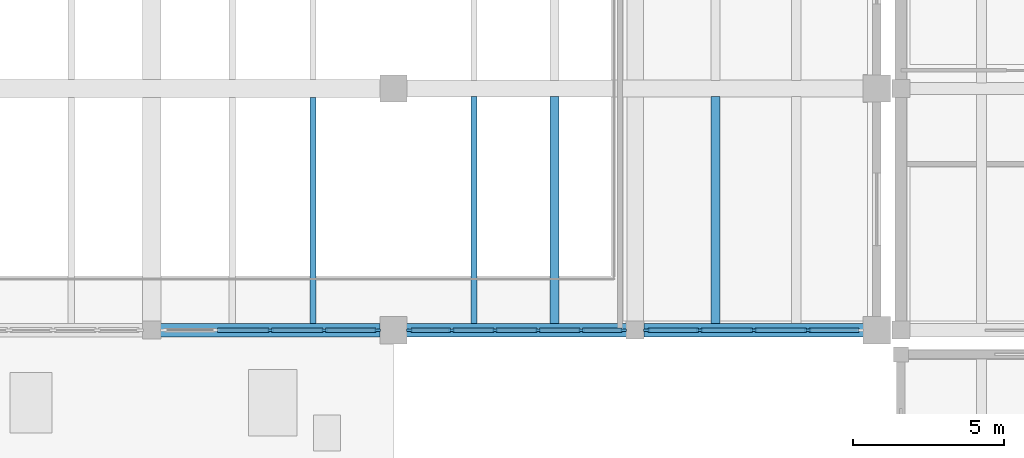
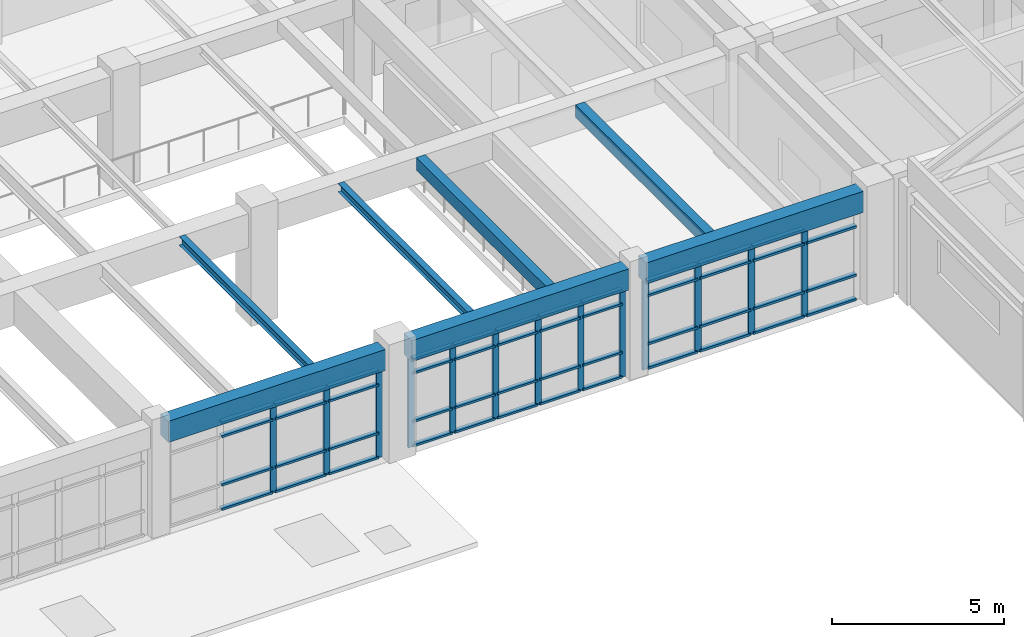
# One storey, part 12 of 67: 60 members, 7 beams, 3 elements without a shape of their own.
"""IFC4 building model written with IfcOpenShell, lengths in metres."""

from ifc_helpers import new_model, si_unit, direction, frame, origin, origin_2d, place, context, subcontext, project, spatial, rectangle, i_section, extrude, material, material_profile, profile_set, type_object, element, aggregate, save


model = new_model("IFC4")

# Units and contexts
model_context = context("Model", 3, precision=1e-05, world=origin(), true_north=direction((0.0, 1.0)))
body_context = subcontext(model_context, "Body", "Model", "MODEL_VIEW")
ifc_project = project(units=[si_unit("LENGTHUNIT", "METRE"), si_unit("AREAUNIT", "SQUARE_METRE"), si_unit("VOLUMEUNIT", "CUBIC_METRE"), si_unit("PLANEANGLEUNIT", "RADIAN"), si_unit("MASSUNIT", "GRAM", prefix="KILO")], contexts=[model_context])

# Site, building, storey
site_placement = place(None, origin())
site = spatial("IfcSite", under=ifc_project, at=site_placement, CompositionType="ELEMENT")
building_placement = place(site_placement, origin())
building = spatial("IfcBuilding", under=site, at=building_placement, Name="Tlaxcora Railside Police Headquarters", CompositionType="ELEMENT")
storey_placement = place(building_placement, frame((0.0, 0.0, 4.800048828125)))
storey = spatial("IfcBuildingStorey", under=building, at=storey_placement, Name="L01", CompositionType="ELEMENT", Elevation=4.800048828125)

# Curtain wall, members
ifc_material_1 = material(Name="Thermally broken low-E insulated glazing", Category="glass")
curtain_wall_type_1 = type_object("IfcCurtainWallType", Name="Unitised Curtain Wall Assembly CW-38", PredefinedType="NOTDEFINED", material=ifc_material_1)
curtain_wall_1_placement = place(storey_placement, origin())
curtain_wall_1 = element("IfcCurtainWall", 1, at=curtain_wall_1_placement, inside=storey, type_object=curtain_wall_type_1, Name="V1 L01 curtain wall 9", PredefinedType="NOTDEFINED")
ifc_material_2 = material(Name="Anodised aluminium framing", Category="aluminium")
ifc_material_profile_1 = material_profile(ifc_material_2, rectangle(XDim=0.074951171875, YDim=0.205078125, at=origin_2d()), Name="AL75X205")
ifc_profile_set_1 = profile_set([ifc_material_profile_1], Name="Anodised aluminium framing")
member_type_1 = type_object("IfcMemberType", Name="Curtain Wall Mullion CW-32", PredefinedType="MULLION", material=ifc_profile_set_1)
member_1_placement = place(storey_placement, frame((81.925048828125, 36.0, 0.0), z_axis=(0.0, 0.0, 1.0), x_axis=(0.0, 1.0, 0.0)))
member_1 = element("IfcMember", 2, at=member_1_placement, type_object=member_type_1, Name="CW mullion 3", PredefinedType="MULLION", context=body_context, shape_type="SweptSolid", body=[
    extrude(rectangle(XDim=0.074951171875, YDim=0.205078125, at=origin_2d()), origin(), (0.0, 0.0, 1.0), 3.139892578125),
])
member_2_placement = place(storey_placement, frame((83.71240234375, 36.0, 0.0), z_axis=(0.0, 0.0, 1.0), x_axis=(0.0, 1.0, 0.0)))
member_2 = element("IfcMember", 3, at=member_2_placement, type_object=member_type_1, Name="CW mullion 4", PredefinedType="MULLION", context=body_context, shape_type="SweptSolid", body=[
    extrude(rectangle(XDim=0.074951171875, YDim=0.205078125, at=origin_2d()), origin(), (0.0, 0.0, 1.0), 3.139892578125),
])
member_3_placement = place(storey_placement, frame((85.46240234375, 36.0, 0.0), z_axis=(0.0, 0.0, 1.0), x_axis=(0.0, 1.0, 0.0)))
member_3 = element("IfcMember", 4, at=member_3_placement, type_object=member_type_1, Name="CW mullion 5", PredefinedType="MULLION", context=body_context, shape_type="SweptSolid", body=[
    extrude(rectangle(XDim=0.074951171875, YDim=0.205078125, at=origin_2d()), origin(), (0.0, 0.0, 1.0), 3.139892578125),
])

curtain_wall_type_2 = type_object("IfcCurtainWallType", Name="Unitised Curtain Wall Assembly CW-15", PredefinedType="NOTDEFINED", material=ifc_material_1)
curtain_wall_2_placement = place(storey_placement, origin())
curtain_wall_2 = element("IfcCurtainWall", 5, at=curtain_wall_2_placement, inside=storey, type_object=curtain_wall_type_2, Name="V1 L01 curtain wall 10", PredefinedType="NOTDEFINED")
ifc_material_profile_2 = material_profile(ifc_material_2, rectangle(XDim=0.074951171875, YDim=0.199951171875, at=origin_2d()), Name="AL75X200")
ifc_profile_set_2 = profile_set([ifc_material_profile_2], Name="Anodised aluminium framing")
member_type_2 = type_object("IfcMemberType", Name="Curtain Wall Mullion CW-58", PredefinedType="MULLION", material=ifc_profile_set_2)
member_4_placement = place(storey_placement, frame((86.53759765625, 36.0, 0.0), z_axis=(0.0, 0.0, 1.0), x_axis=(0.0, 1.0, 0.0)))
member_4 = element("IfcMember", 6, at=member_4_placement, type_object=member_type_2, Name="CW mullion 1", PredefinedType="MULLION", context=body_context, shape_type="SweptSolid", body=[
    extrude(rectangle(XDim=0.074951171875, YDim=0.199951171875, at=origin_2d()), origin(), (0.0, 0.0, 1.0), 3.139892578125),
])
member_5_placement = place(storey_placement, frame((87.929931640625, 36.0, 0.0), z_axis=(0.0, 0.0, 1.0), x_axis=(0.0, 1.0, 0.0)))
member_5 = element("IfcMember", 7, at=member_5_placement, type_object=member_type_2, Name="CW mullion 2", PredefinedType="MULLION", context=body_context, shape_type="SweptSolid", body=[
    extrude(rectangle(XDim=0.074951171875, YDim=0.199951171875, at=origin_2d()), origin(), (0.0, 0.0, 1.0), 3.139892578125),
])
member_6_placement = place(storey_placement, frame((89.360107421875, 36.0, 0.0), z_axis=(0.0, 0.0, 1.0), x_axis=(0.0, 1.0, 0.0)))
member_6 = element("IfcMember", 8, at=member_6_placement, type_object=member_type_2, Name="CW mullion 3", PredefinedType="MULLION", context=body_context, shape_type="SweptSolid", body=[
    extrude(rectangle(XDim=0.074951171875, YDim=0.199951171875, at=origin_2d()), origin(), (0.0, 0.0, 1.0), 3.139892578125),
])
member_7_placement = place(storey_placement, frame((90.7900390625, 36.0, 0.0), z_axis=(0.0, 0.0, 1.0), x_axis=(0.0, 1.0, 0.0)))
member_7 = element("IfcMember", 9, at=member_7_placement, type_object=member_type_2, Name="CW mullion 4", PredefinedType="MULLION", context=body_context, shape_type="SweptSolid", body=[
    extrude(rectangle(XDim=0.074951171875, YDim=0.199951171875, at=origin_2d()), origin(), (0.0, 0.0, 1.0), 3.139892578125),
])
member_8_placement = place(storey_placement, frame((92.219970703125, 36.0, 0.0), z_axis=(0.0, 0.0, 1.0), x_axis=(0.0, 1.0, 0.0)))
member_8 = element("IfcMember", 10, at=member_8_placement, type_object=member_type_2, Name="CW mullion 5", PredefinedType="MULLION", context=body_context, shape_type="SweptSolid", body=[
    extrude(rectangle(XDim=0.074951171875, YDim=0.199951171875, at=origin_2d()), origin(), (0.0, 0.0, 1.0), 3.139892578125),
])
member_9_placement = place(storey_placement, frame((93.612548828125, 36.0, 0.0), z_axis=(0.0, 0.0, 1.0), x_axis=(0.0, 1.0, 0.0)))
member_9 = element("IfcMember", 11, at=member_9_placement, type_object=member_type_2, Name="CW mullion 6", PredefinedType="MULLION", context=body_context, shape_type="SweptSolid", body=[
    extrude(rectangle(XDim=0.074951171875, YDim=0.199951171875, at=origin_2d()), origin(), (0.0, 0.0, 1.0), 3.139892578125),
])

curtain_wall_type_3 = type_object("IfcCurtainWallType", Name="Unitised Curtain Wall Assembly CW-83", PredefinedType="NOTDEFINED", material=ifc_material_1)
curtain_wall_3_placement = place(storey_placement, origin())
curtain_wall_3 = element("IfcCurtainWall", 12, at=curtain_wall_3_placement, inside=storey, type_object=curtain_wall_type_3, Name="V1 L01 curtain wall 11", PredefinedType="NOTDEFINED")
ifc_material_profile_3 = material_profile(ifc_material_2, rectangle(XDim=0.080078125, YDim=0.2099609375, at=origin_2d()), Name="AL80X210")
ifc_profile_set_3 = profile_set([ifc_material_profile_3], Name="Anodised aluminium framing")
member_type_3 = type_object("IfcMemberType", Name="Curtain Wall Mullion CW-76", PredefinedType="MULLION", material=ifc_profile_set_3)
member_10_placement = place(storey_placement, frame((94.389892578125, 36.0, 0.0), z_axis=(0.0, 0.0, 1.0), x_axis=(0.0, 1.0, 0.0)))
member_10 = element("IfcMember", 13, at=member_10_placement, type_object=member_type_3, Name="CW mullion 1", PredefinedType="MULLION", context=body_context, shape_type="SweptSolid", body=[
    extrude(rectangle(XDim=0.080078125, YDim=0.2099609375, at=origin_2d()), origin(), (0.0, 0.0, 1.0), 3.139892578125),
])
member_11_placement = place(storey_placement, frame((96.137451171875, 36.0, 0.0), z_axis=(0.0, 0.0, 1.0), x_axis=(0.0, 1.0, 0.0)))
member_11 = element("IfcMember", 14, at=member_11_placement, type_object=member_type_3, Name="CW mullion 2", PredefinedType="MULLION", context=body_context, shape_type="SweptSolid", body=[
    extrude(rectangle(XDim=0.080078125, YDim=0.2099609375, at=origin_2d()), origin(), (0.0, 0.0, 1.0), 3.139892578125),
])
member_12_placement = place(storey_placement, frame((97.925048828125, 36.0, 0.0), z_axis=(0.0, 0.0, 1.0), x_axis=(0.0, 1.0, 0.0)))
member_12 = element("IfcMember", 15, at=member_12_placement, type_object=member_type_3, Name="CW mullion 3", PredefinedType="MULLION", context=body_context, shape_type="SweptSolid", body=[
    extrude(rectangle(XDim=0.080078125, YDim=0.2099609375, at=origin_2d()), origin(), (0.0, 0.0, 1.0), 3.139892578125),
])
member_13_placement = place(storey_placement, frame((99.71240234375, 36.0, 0.0), z_axis=(0.0, 0.0, 1.0), x_axis=(0.0, 1.0, 0.0)))
member_13 = element("IfcMember", 16, at=member_13_placement, type_object=member_type_3, Name="CW mullion 4", PredefinedType="MULLION", context=body_context, shape_type="SweptSolid", body=[
    extrude(rectangle(XDim=0.080078125, YDim=0.2099609375, at=origin_2d()), origin(), (0.0, 0.0, 1.0), 3.139892578125),
])

# Member
ifc_material_profile_4 = material_profile(ifc_material_2, rectangle(XDim=0.14990234375, YDim=0.074951171875, at=origin_2d()), Name="AL75X150")
ifc_profile_set_4 = profile_set([ifc_material_profile_4], Name="Anodised aluminium framing")
member_type_4 = type_object("IfcMemberType", Name="Curtain Wall Transom CW-28", PredefinedType="USERDEFINED", material=ifc_profile_set_4)
member_14_placement = place(storey_placement, frame((86.574951171875, 36.0, 0.037353515625), z_axis=(1.0, 0.0, 0.0), x_axis=(0.0, 1.0, 0.0)))
member_14 = element("IfcMember", 17, at=member_14_placement, type_object=member_type_4, Name="CW transom 1.1", ObjectType="TRANSOM", PredefinedType="USERDEFINED", context=body_context, shape_type="SweptSolid", body=[
    extrude(rectangle(XDim=0.14990234375, YDim=0.074951171875, at=origin_2d()), origin(), (0.0, 0.0, 1.0), 1.317626953125),
])

member_15_placement = place(storey_placement, frame((86.574951171875, 36.0, 0.89990234375), z_axis=(1.0, 0.0, 0.0), x_axis=(0.0, 1.0, 0.0)))
member_15 = element("IfcMember", 18, at=member_15_placement, type_object=member_type_4, Name="CW transom 1.2", ObjectType="TRANSOM", PredefinedType="USERDEFINED", context=body_context, shape_type="SweptSolid", body=[
    extrude(rectangle(XDim=0.14990234375, YDim=0.074951171875, at=origin_2d()), origin(), (0.0, 0.0, 1.0), 1.317626953125),
])

member_16_placement = place(storey_placement, frame((86.574951171875, 36.0, 2.60986328125), z_axis=(1.0, 0.0, 0.0), x_axis=(0.0, 1.0, 0.0)))
member_16 = element("IfcMember", 19, at=member_16_placement, type_object=member_type_4, Name="CW transom 1.3", ObjectType="TRANSOM", PredefinedType="USERDEFINED", context=body_context, shape_type="SweptSolid", body=[
    extrude(rectangle(XDim=0.14990234375, YDim=0.074951171875, at=origin_2d()), origin(), (0.0, 0.0, 1.0), 1.317626953125),
])

member_17_placement = place(storey_placement, frame((86.574951171875, 36.0, 3.1025390625), z_axis=(1.0, 0.0, 0.0), x_axis=(0.0, 1.0, 0.0)))
member_17 = element("IfcMember", 20, at=member_17_placement, type_object=member_type_4, Name="CW transom 1.4", ObjectType="TRANSOM", PredefinedType="USERDEFINED", context=body_context, shape_type="SweptSolid", body=[
    extrude(rectangle(XDim=0.14990234375, YDim=0.074951171875, at=origin_2d()), origin(), (0.0, 0.0, 1.0), 1.317626953125),
])

member_18_placement = place(storey_placement, frame((87.967529296875, 36.0, 0.037353515625), z_axis=(1.0, 0.0, 0.0), x_axis=(0.0, 1.0, 0.0)))
member_18 = element("IfcMember", 21, at=member_18_placement, type_object=member_type_4, Name="CW transom 2.1", ObjectType="TRANSOM", PredefinedType="USERDEFINED", context=body_context, shape_type="SweptSolid", body=[
    extrude(rectangle(XDim=0.14990234375, YDim=0.074951171875, at=origin_2d()), origin(), (0.0, 0.0, 1.0), 1.35498046875),
])

member_19_placement = place(storey_placement, frame((87.967529296875, 36.0, 0.89990234375), z_axis=(1.0, 0.0, 0.0), x_axis=(0.0, 1.0, 0.0)))
member_19 = element("IfcMember", 22, at=member_19_placement, type_object=member_type_4, Name="CW transom 2.2", ObjectType="TRANSOM", PredefinedType="USERDEFINED", context=body_context, shape_type="SweptSolid", body=[
    extrude(rectangle(XDim=0.14990234375, YDim=0.074951171875, at=origin_2d()), origin(), (0.0, 0.0, 1.0), 1.35498046875),
])

member_20_placement = place(storey_placement, frame((87.967529296875, 36.0, 2.60986328125), z_axis=(1.0, 0.0, 0.0), x_axis=(0.0, 1.0, 0.0)))
member_20 = element("IfcMember", 23, at=member_20_placement, type_object=member_type_4, Name="CW transom 2.3", ObjectType="TRANSOM", PredefinedType="USERDEFINED", context=body_context, shape_type="SweptSolid", body=[
    extrude(rectangle(XDim=0.14990234375, YDim=0.074951171875, at=origin_2d()), origin(), (0.0, 0.0, 1.0), 1.35498046875),
])

member_21_placement = place(storey_placement, frame((87.967529296875, 36.0, 3.1025390625), z_axis=(1.0, 0.0, 0.0), x_axis=(0.0, 1.0, 0.0)))
member_21 = element("IfcMember", 24, at=member_21_placement, type_object=member_type_4, Name="CW transom 2.4", ObjectType="TRANSOM", PredefinedType="USERDEFINED", context=body_context, shape_type="SweptSolid", body=[
    extrude(rectangle(XDim=0.14990234375, YDim=0.074951171875, at=origin_2d()), origin(), (0.0, 0.0, 1.0), 1.35498046875),
])

member_22_placement = place(storey_placement, frame((89.3974609375, 36.0, 0.037353515625), z_axis=(1.0, 0.0, 0.0), x_axis=(0.0, 1.0, 0.0)))
member_22 = element("IfcMember", 25, at=member_22_placement, type_object=member_type_4, Name="CW transom 3.1", ObjectType="TRANSOM", PredefinedType="USERDEFINED", context=body_context, shape_type="SweptSolid", body=[
    extrude(rectangle(XDim=0.14990234375, YDim=0.074951171875, at=origin_2d()), origin(), (0.0, 0.0, 1.0), 1.35498046875),
])

member_23_placement = place(storey_placement, frame((89.3974609375, 36.0, 0.89990234375), z_axis=(1.0, 0.0, 0.0), x_axis=(0.0, 1.0, 0.0)))
member_23 = element("IfcMember", 26, at=member_23_placement, type_object=member_type_4, Name="CW transom 3.2", ObjectType="TRANSOM", PredefinedType="USERDEFINED", context=body_context, shape_type="SweptSolid", body=[
    extrude(rectangle(XDim=0.14990234375, YDim=0.074951171875, at=origin_2d()), origin(), (0.0, 0.0, 1.0), 1.35498046875),
])

member_24_placement = place(storey_placement, frame((89.3974609375, 36.0, 2.60986328125), z_axis=(1.0, 0.0, 0.0), x_axis=(0.0, 1.0, 0.0)))
member_24 = element("IfcMember", 27, at=member_24_placement, type_object=member_type_4, Name="CW transom 3.3", ObjectType="TRANSOM", PredefinedType="USERDEFINED", context=body_context, shape_type="SweptSolid", body=[
    extrude(rectangle(XDim=0.14990234375, YDim=0.074951171875, at=origin_2d()), origin(), (0.0, 0.0, 1.0), 1.35498046875),
])

member_25_placement = place(storey_placement, frame((89.3974609375, 36.0, 3.1025390625), z_axis=(1.0, 0.0, 0.0), x_axis=(0.0, 1.0, 0.0)))
member_25 = element("IfcMember", 28, at=member_25_placement, type_object=member_type_4, Name="CW transom 3.4", ObjectType="TRANSOM", PredefinedType="USERDEFINED", context=body_context, shape_type="SweptSolid", body=[
    extrude(rectangle(XDim=0.14990234375, YDim=0.074951171875, at=origin_2d()), origin(), (0.0, 0.0, 1.0), 1.35498046875),
])

member_26_placement = place(storey_placement, frame((90.827392578125, 36.0, 0.037353515625), z_axis=(1.0, 0.0, 0.0), x_axis=(0.0, 1.0, 0.0)))
member_26 = element("IfcMember", 29, at=member_26_placement, type_object=member_type_4, Name="CW transom 4.1", ObjectType="TRANSOM", PredefinedType="USERDEFINED", context=body_context, shape_type="SweptSolid", body=[
    extrude(rectangle(XDim=0.14990234375, YDim=0.074951171875, at=origin_2d()), origin(), (0.0, 0.0, 1.0), 1.355224609375),
])

member_27_placement = place(storey_placement, frame((90.827392578125, 36.0, 0.89990234375), z_axis=(1.0, 0.0, 0.0), x_axis=(0.0, 1.0, 0.0)))
member_27 = element("IfcMember", 30, at=member_27_placement, type_object=member_type_4, Name="CW transom 4.2", ObjectType="TRANSOM", PredefinedType="USERDEFINED", context=body_context, shape_type="SweptSolid", body=[
    extrude(rectangle(XDim=0.14990234375, YDim=0.074951171875, at=origin_2d()), origin(), (0.0, 0.0, 1.0), 1.355224609375),
])

member_28_placement = place(storey_placement, frame((90.827392578125, 36.0, 2.60986328125), z_axis=(1.0, 0.0, 0.0), x_axis=(0.0, 1.0, 0.0)))
member_28 = element("IfcMember", 31, at=member_28_placement, type_object=member_type_4, Name="CW transom 4.3", ObjectType="TRANSOM", PredefinedType="USERDEFINED", context=body_context, shape_type="SweptSolid", body=[
    extrude(rectangle(XDim=0.14990234375, YDim=0.074951171875, at=origin_2d()), origin(), (0.0, 0.0, 1.0), 1.355224609375),
])

member_29_placement = place(storey_placement, frame((90.827392578125, 36.0, 3.1025390625), z_axis=(1.0, 0.0, 0.0), x_axis=(0.0, 1.0, 0.0)))
member_29 = element("IfcMember", 32, at=member_29_placement, type_object=member_type_4, Name="CW transom 4.4", ObjectType="TRANSOM", PredefinedType="USERDEFINED", context=body_context, shape_type="SweptSolid", body=[
    extrude(rectangle(XDim=0.14990234375, YDim=0.074951171875, at=origin_2d()), origin(), (0.0, 0.0, 1.0), 1.355224609375),
])

member_30_placement = place(storey_placement, frame((92.257568359375, 36.0, 0.037353515625), z_axis=(1.0, 0.0, 0.0), x_axis=(0.0, 1.0, 0.0)))
member_30 = element("IfcMember", 33, at=member_30_placement, type_object=member_type_4, Name="CW transom 5.1", ObjectType="TRANSOM", PredefinedType="USERDEFINED", context=body_context, shape_type="SweptSolid", body=[
    extrude(rectangle(XDim=0.14990234375, YDim=0.074951171875, at=origin_2d()), origin(), (0.0, 0.0, 1.0), 1.3173828125),
])

member_31_placement = place(storey_placement, frame((92.257568359375, 36.0, 0.89990234375), z_axis=(1.0, 0.0, 0.0), x_axis=(0.0, 1.0, 0.0)))
member_31 = element("IfcMember", 34, at=member_31_placement, type_object=member_type_4, Name="CW transom 5.2", ObjectType="TRANSOM", PredefinedType="USERDEFINED", context=body_context, shape_type="SweptSolid", body=[
    extrude(rectangle(XDim=0.14990234375, YDim=0.074951171875, at=origin_2d()), origin(), (0.0, 0.0, 1.0), 1.3173828125),
])

member_32_placement = place(storey_placement, frame((92.257568359375, 36.0, 2.60986328125), z_axis=(1.0, 0.0, 0.0), x_axis=(0.0, 1.0, 0.0)))
member_32 = element("IfcMember", 35, at=member_32_placement, type_object=member_type_4, Name="CW transom 5.3", ObjectType="TRANSOM", PredefinedType="USERDEFINED", context=body_context, shape_type="SweptSolid", body=[
    extrude(rectangle(XDim=0.14990234375, YDim=0.074951171875, at=origin_2d()), origin(), (0.0, 0.0, 1.0), 1.3173828125),
])

member_33_placement = place(storey_placement, frame((92.257568359375, 36.0, 3.1025390625), z_axis=(1.0, 0.0, 0.0), x_axis=(0.0, 1.0, 0.0)))
member_33 = element("IfcMember", 36, at=member_33_placement, type_object=member_type_4, Name="CW transom 5.4", ObjectType="TRANSOM", PredefinedType="USERDEFINED", context=body_context, shape_type="SweptSolid", body=[
    extrude(rectangle(XDim=0.14990234375, YDim=0.074951171875, at=origin_2d()), origin(), (0.0, 0.0, 1.0), 1.3173828125),
])

aggregate(curtain_wall_2, [member_4, member_5, member_6, member_7, member_8, member_9, member_14, member_15, member_16, member_17, member_18, member_19, member_20, member_21, member_22, member_23, member_24, member_25, member_26, member_27, member_28, member_29, member_30, member_31, member_32, member_33])

ifc_material_profile_5 = material_profile(ifc_material_2, rectangle(XDim=0.155029296875, YDim=0.074951171875, at=origin_2d()), Name="AL75X155")
ifc_profile_set_5 = profile_set([ifc_material_profile_5], Name="Anodised aluminium framing")
member_type_5 = type_object("IfcMemberType", Name="Curtain Wall Transom CW-30", PredefinedType="USERDEFINED", material=ifc_profile_set_5)
member_34_placement = place(storey_placement, frame((80.175048828125, 36.0, 0.037353515625), z_axis=(1.0, 0.0, 0.0), x_axis=(0.0, 1.0, 0.0)))
member_34 = element("IfcMember", 37, at=member_34_placement, type_object=member_type_5, Name="CW transom 2.1", ObjectType="TRANSOM", PredefinedType="USERDEFINED", context=body_context, shape_type="SweptSolid", body=[
    extrude(rectangle(XDim=0.155029296875, YDim=0.074951171875, at=origin_2d()), origin(), (0.0, 0.0, 1.0), 1.71240234375),
])

member_35_placement = place(storey_placement, frame((80.175048828125, 36.0, 0.89990234375), z_axis=(1.0, 0.0, 0.0), x_axis=(0.0, 1.0, 0.0)))
member_35 = element("IfcMember", 38, at=member_35_placement, type_object=member_type_5, Name="CW transom 2.2", ObjectType="TRANSOM", PredefinedType="USERDEFINED", context=body_context, shape_type="SweptSolid", body=[
    extrude(rectangle(XDim=0.155029296875, YDim=0.074951171875, at=origin_2d()), origin(), (0.0, 0.0, 1.0), 1.71240234375),
])

member_36_placement = place(storey_placement, frame((80.175048828125, 36.0, 2.60986328125), z_axis=(1.0, 0.0, 0.0), x_axis=(0.0, 1.0, 0.0)))
member_36 = element("IfcMember", 39, at=member_36_placement, type_object=member_type_5, Name="CW transom 2.3", ObjectType="TRANSOM", PredefinedType="USERDEFINED", context=body_context, shape_type="SweptSolid", body=[
    extrude(rectangle(XDim=0.155029296875, YDim=0.074951171875, at=origin_2d()), origin(), (0.0, 0.0, 1.0), 1.71240234375),
])

member_37_placement = place(storey_placement, frame((80.175048828125, 36.0, 3.1025390625), z_axis=(1.0, 0.0, 0.0), x_axis=(0.0, 1.0, 0.0)))
member_37 = element("IfcMember", 40, at=member_37_placement, type_object=member_type_5, Name="CW transom 2.4", ObjectType="TRANSOM", PredefinedType="USERDEFINED", context=body_context, shape_type="SweptSolid", body=[
    extrude(rectangle(XDim=0.155029296875, YDim=0.074951171875, at=origin_2d()), origin(), (0.0, 0.0, 1.0), 1.71240234375),
])

member_38_placement = place(storey_placement, frame((81.96240234375, 36.0, 0.037353515625), z_axis=(1.0, 0.0, 0.0), x_axis=(0.0, 1.0, 0.0)))
member_38 = element("IfcMember", 41, at=member_38_placement, type_object=member_type_5, Name="CW transom 3.1", ObjectType="TRANSOM", PredefinedType="USERDEFINED", context=body_context, shape_type="SweptSolid", body=[
    extrude(rectangle(XDim=0.155029296875, YDim=0.074951171875, at=origin_2d()), origin(), (0.0, 0.0, 1.0), 1.712646484375),
])

member_39_placement = place(storey_placement, frame((81.96240234375, 36.0, 0.89990234375), z_axis=(1.0, 0.0, 0.0), x_axis=(0.0, 1.0, 0.0)))
member_39 = element("IfcMember", 42, at=member_39_placement, type_object=member_type_5, Name="CW transom 3.2", ObjectType="TRANSOM", PredefinedType="USERDEFINED", context=body_context, shape_type="SweptSolid", body=[
    extrude(rectangle(XDim=0.155029296875, YDim=0.074951171875, at=origin_2d()), origin(), (0.0, 0.0, 1.0), 1.712646484375),
])

member_40_placement = place(storey_placement, frame((81.96240234375, 36.0, 2.60986328125), z_axis=(1.0, 0.0, 0.0), x_axis=(0.0, 1.0, 0.0)))
member_40 = element("IfcMember", 43, at=member_40_placement, type_object=member_type_5, Name="CW transom 3.3", ObjectType="TRANSOM", PredefinedType="USERDEFINED", context=body_context, shape_type="SweptSolid", body=[
    extrude(rectangle(XDim=0.155029296875, YDim=0.074951171875, at=origin_2d()), origin(), (0.0, 0.0, 1.0), 1.712646484375),
])

member_41_placement = place(storey_placement, frame((81.96240234375, 36.0, 3.1025390625), z_axis=(1.0, 0.0, 0.0), x_axis=(0.0, 1.0, 0.0)))
member_41 = element("IfcMember", 44, at=member_41_placement, type_object=member_type_5, Name="CW transom 3.4", ObjectType="TRANSOM", PredefinedType="USERDEFINED", context=body_context, shape_type="SweptSolid", body=[
    extrude(rectangle(XDim=0.155029296875, YDim=0.074951171875, at=origin_2d()), origin(), (0.0, 0.0, 1.0), 1.712646484375),
])

member_42_placement = place(storey_placement, frame((83.75, 36.0, 0.037353515625), z_axis=(1.0, 0.0, 0.0), x_axis=(0.0, 1.0, 0.0)))
member_42 = element("IfcMember", 45, at=member_42_placement, type_object=member_type_5, Name="CW transom 4.1", ObjectType="TRANSOM", PredefinedType="USERDEFINED", context=body_context, shape_type="SweptSolid", body=[
    extrude(rectangle(XDim=0.155029296875, YDim=0.074951171875, at=origin_2d()), origin(), (0.0, 0.0, 1.0), 1.675048828125),
])

member_43_placement = place(storey_placement, frame((83.75, 36.0, 0.89990234375), z_axis=(1.0, 0.0, 0.0), x_axis=(0.0, 1.0, 0.0)))
member_43 = element("IfcMember", 46, at=member_43_placement, type_object=member_type_5, Name="CW transom 4.2", ObjectType="TRANSOM", PredefinedType="USERDEFINED", context=body_context, shape_type="SweptSolid", body=[
    extrude(rectangle(XDim=0.155029296875, YDim=0.074951171875, at=origin_2d()), origin(), (0.0, 0.0, 1.0), 1.675048828125),
])

member_44_placement = place(storey_placement, frame((83.75, 36.0, 2.60986328125), z_axis=(1.0, 0.0, 0.0), x_axis=(0.0, 1.0, 0.0)))
member_44 = element("IfcMember", 47, at=member_44_placement, type_object=member_type_5, Name="CW transom 4.3", ObjectType="TRANSOM", PredefinedType="USERDEFINED", context=body_context, shape_type="SweptSolid", body=[
    extrude(rectangle(XDim=0.155029296875, YDim=0.074951171875, at=origin_2d()), origin(), (0.0, 0.0, 1.0), 1.675048828125),
])

member_45_placement = place(storey_placement, frame((83.75, 36.0, 3.1025390625), z_axis=(1.0, 0.0, 0.0), x_axis=(0.0, 1.0, 0.0)))
member_45 = element("IfcMember", 48, at=member_45_placement, type_object=member_type_5, Name="CW transom 4.4", ObjectType="TRANSOM", PredefinedType="USERDEFINED", context=body_context, shape_type="SweptSolid", body=[
    extrude(rectangle(XDim=0.155029296875, YDim=0.074951171875, at=origin_2d()), origin(), (0.0, 0.0, 1.0), 1.675048828125),
])

aggregate(curtain_wall_1, [member_1, member_2, member_3, member_34, member_35, member_36, member_37, member_38, member_39, member_40, member_41, member_42, member_43, member_44, member_45])

ifc_material_profile_6 = material_profile(ifc_material_2, rectangle(XDim=0.159912109375, YDim=0.080078125, at=origin_2d()), Name="AL80X160")
ifc_profile_set_6 = profile_set([ifc_material_profile_6], Name="Anodised aluminium framing")
member_type_6 = type_object("IfcMemberType", Name="Curtain Wall Transom CW-82", PredefinedType="USERDEFINED", material=ifc_profile_set_6)
member_46_placement = place(storey_placement, frame((94.429931640625, 36.0, 0.0400390625), z_axis=(1.0, 0.0, 0.0), x_axis=(0.0, 1.0, 0.0)))
member_46 = element("IfcMember", 49, at=member_46_placement, type_object=member_type_6, Name="CW transom 1.1", ObjectType="TRANSOM", PredefinedType="USERDEFINED", context=body_context, shape_type="SweptSolid", body=[
    extrude(rectangle(XDim=0.159912109375, YDim=0.080078125, at=origin_2d()), origin(), (0.0, 0.0, 1.0), 1.66748046875),
])

member_47_placement = place(storey_placement, frame((94.429931640625, 36.0, 0.89990234375), z_axis=(1.0, 0.0, 0.0), x_axis=(0.0, 1.0, 0.0)))
member_47 = element("IfcMember", 50, at=member_47_placement, type_object=member_type_6, Name="CW transom 1.2", ObjectType="TRANSOM", PredefinedType="USERDEFINED", context=body_context, shape_type="SweptSolid", body=[
    extrude(rectangle(XDim=0.159912109375, YDim=0.080078125, at=origin_2d()), origin(), (0.0, 0.0, 1.0), 1.66748046875),
])

member_48_placement = place(storey_placement, frame((94.429931640625, 36.0, 2.60986328125), z_axis=(1.0, 0.0, 0.0), x_axis=(0.0, 1.0, 0.0)))
member_48 = element("IfcMember", 51, at=member_48_placement, type_object=member_type_6, Name="CW transom 1.3", ObjectType="TRANSOM", PredefinedType="USERDEFINED", context=body_context, shape_type="SweptSolid", body=[
    extrude(rectangle(XDim=0.159912109375, YDim=0.080078125, at=origin_2d()), origin(), (0.0, 0.0, 1.0), 1.66748046875),
])

member_49_placement = place(storey_placement, frame((94.429931640625, 36.0, 3.099853515625), z_axis=(1.0, 0.0, 0.0), x_axis=(0.0, 1.0, 0.0)))
member_49 = element("IfcMember", 52, at=member_49_placement, type_object=member_type_6, Name="CW transom 1.4", ObjectType="TRANSOM", PredefinedType="USERDEFINED", context=body_context, shape_type="SweptSolid", body=[
    extrude(rectangle(XDim=0.159912109375, YDim=0.080078125, at=origin_2d()), origin(), (0.0, 0.0, 1.0), 1.66748046875),
])

member_50_placement = place(storey_placement, frame((96.177490234375, 36.0, 0.0400390625), z_axis=(1.0, 0.0, 0.0), x_axis=(0.0, 1.0, 0.0)))
member_50 = element("IfcMember", 53, at=member_50_placement, type_object=member_type_6, Name="CW transom 2.1", ObjectType="TRANSOM", PredefinedType="USERDEFINED", context=body_context, shape_type="SweptSolid", body=[
    extrude(rectangle(XDim=0.159912109375, YDim=0.080078125, at=origin_2d()), origin(), (0.0, 0.0, 1.0), 1.70751953125),
])

member_51_placement = place(storey_placement, frame((96.177490234375, 36.0, 0.89990234375), z_axis=(1.0, 0.0, 0.0), x_axis=(0.0, 1.0, 0.0)))
member_51 = element("IfcMember", 54, at=member_51_placement, type_object=member_type_6, Name="CW transom 2.2", ObjectType="TRANSOM", PredefinedType="USERDEFINED", context=body_context, shape_type="SweptSolid", body=[
    extrude(rectangle(XDim=0.159912109375, YDim=0.080078125, at=origin_2d()), origin(), (0.0, 0.0, 1.0), 1.70751953125),
])

member_52_placement = place(storey_placement, frame((96.177490234375, 36.0, 2.60986328125), z_axis=(1.0, 0.0, 0.0), x_axis=(0.0, 1.0, 0.0)))
member_52 = element("IfcMember", 55, at=member_52_placement, type_object=member_type_6, Name="CW transom 2.3", ObjectType="TRANSOM", PredefinedType="USERDEFINED", context=body_context, shape_type="SweptSolid", body=[
    extrude(rectangle(XDim=0.159912109375, YDim=0.080078125, at=origin_2d()), origin(), (0.0, 0.0, 1.0), 1.70751953125),
])

member_53_placement = place(storey_placement, frame((96.177490234375, 36.0, 3.099853515625), z_axis=(1.0, 0.0, 0.0), x_axis=(0.0, 1.0, 0.0)))
member_53 = element("IfcMember", 56, at=member_53_placement, type_object=member_type_6, Name="CW transom 2.4", ObjectType="TRANSOM", PredefinedType="USERDEFINED", context=body_context, shape_type="SweptSolid", body=[
    extrude(rectangle(XDim=0.159912109375, YDim=0.080078125, at=origin_2d()), origin(), (0.0, 0.0, 1.0), 1.70751953125),
])

member_54_placement = place(storey_placement, frame((97.965087890625, 36.0, 0.0400390625), z_axis=(1.0, 0.0, 0.0), x_axis=(0.0, 1.0, 0.0)))
member_54 = element("IfcMember", 57, at=member_54_placement, type_object=member_type_6, Name="CW transom 3.1", ObjectType="TRANSOM", PredefinedType="USERDEFINED", context=body_context, shape_type="SweptSolid", body=[
    extrude(rectangle(XDim=0.159912109375, YDim=0.080078125, at=origin_2d()), origin(), (0.0, 0.0, 1.0), 1.70751953125),
])

member_55_placement = place(storey_placement, frame((97.965087890625, 36.0, 0.89990234375), z_axis=(1.0, 0.0, 0.0), x_axis=(0.0, 1.0, 0.0)))
member_55 = element("IfcMember", 58, at=member_55_placement, type_object=member_type_6, Name="CW transom 3.2", ObjectType="TRANSOM", PredefinedType="USERDEFINED", context=body_context, shape_type="SweptSolid", body=[
    extrude(rectangle(XDim=0.159912109375, YDim=0.080078125, at=origin_2d()), origin(), (0.0, 0.0, 1.0), 1.70751953125),
])

member_56_placement = place(storey_placement, frame((97.965087890625, 36.0, 2.60986328125), z_axis=(1.0, 0.0, 0.0), x_axis=(0.0, 1.0, 0.0)))
member_56 = element("IfcMember", 59, at=member_56_placement, type_object=member_type_6, Name="CW transom 3.3", ObjectType="TRANSOM", PredefinedType="USERDEFINED", context=body_context, shape_type="SweptSolid", body=[
    extrude(rectangle(XDim=0.159912109375, YDim=0.080078125, at=origin_2d()), origin(), (0.0, 0.0, 1.0), 1.70751953125),
])

member_57_placement = place(storey_placement, frame((97.965087890625, 36.0, 3.099853515625), z_axis=(1.0, 0.0, 0.0), x_axis=(0.0, 1.0, 0.0)))
member_57 = element("IfcMember", 60, at=member_57_placement, type_object=member_type_6, Name="CW transom 3.4", ObjectType="TRANSOM", PredefinedType="USERDEFINED", context=body_context, shape_type="SweptSolid", body=[
    extrude(rectangle(XDim=0.159912109375, YDim=0.080078125, at=origin_2d()), origin(), (0.0, 0.0, 1.0), 1.70751953125),
])

member_58_placement = place(storey_placement, frame((99.75244140625, 36.0, 0.0400390625), z_axis=(1.0, 0.0, 0.0), x_axis=(0.0, 1.0, 0.0)))
member_58 = element("IfcMember", 61, at=member_58_placement, type_object=member_type_6, Name="CW transom 4.1", ObjectType="TRANSOM", PredefinedType="USERDEFINED", context=body_context, shape_type="SweptSolid", body=[
    extrude(rectangle(XDim=0.159912109375, YDim=0.080078125, at=origin_2d()), origin(), (0.0, 0.0, 1.0), 1.66748046875),
])

member_59_placement = place(storey_placement, frame((99.75244140625, 36.0, 0.89990234375), z_axis=(1.0, 0.0, 0.0), x_axis=(0.0, 1.0, 0.0)))
member_59 = element("IfcMember", 62, at=member_59_placement, type_object=member_type_6, Name="CW transom 4.2", ObjectType="TRANSOM", PredefinedType="USERDEFINED", context=body_context, shape_type="SweptSolid", body=[
    extrude(rectangle(XDim=0.159912109375, YDim=0.080078125, at=origin_2d()), origin(), (0.0, 0.0, 1.0), 1.66748046875),
])

member_60_placement = place(storey_placement, frame((99.75244140625, 36.0, 2.60986328125), z_axis=(1.0, 0.0, 0.0), x_axis=(0.0, 1.0, 0.0)))
member_60 = element("IfcMember", 63, at=member_60_placement, type_object=member_type_6, Name="CW transom 4.3", ObjectType="TRANSOM", PredefinedType="USERDEFINED", context=body_context, shape_type="SweptSolid", body=[
    extrude(rectangle(XDim=0.159912109375, YDim=0.080078125, at=origin_2d()), origin(), (0.0, 0.0, 1.0), 1.66748046875),
])

aggregate(curtain_wall_3, [member_10, member_11, member_12, member_13, member_46, member_47, member_48, member_49, member_50, member_51, member_52, member_53, member_54, member_55, member_56, member_57, member_58, member_59, member_60])

# Beams
ifc_material_3 = material(Name="Concrete C40/50", Category="concrete")
ifc_material_profile_7 = material_profile(ifc_material_3, rectangle(XDim=0.449951171875, YDim=0.75, at=origin_2d()), Name="RC450X750")
ifc_profile_set_7 = profile_set([ifc_material_profile_7], Name="Concrete C40/50")
beam_type_1 = type_object("IfcBeamType", Name="Perimeter Spandrel Beam BM-86", PredefinedType="SPANDREL", material=ifc_profile_set_7)
for number, where, z_axis, x_axis, name in (
    (64, (78.2900390625, 36.0, 3.534912109375), (1.0, 0.0, 0.0), (0.0, 1.0, 0.0), "V1 L01 X-girder Y=36.0"),
    (65, (86.43994140625, 36.0, 3.534912109375), (1.0, 0.0, 0.0), (0.0, 1.0, 0.0), "V1 L01 X-girder Y=36.0"),
    (66, (94.2900390625, 36.0, 3.534912109375), (1.0, 0.0, 0.0), (0.0, 1.0, 0.0), "V1 L01 X-girder Y=36.0"),
):
    element("IfcBeam", number, at=place(storey_placement, frame(where, z_axis=z_axis, x_axis=x_axis)), inside=storey, type_object=beam_type_1, Name=name, PredefinedType="SPANDREL", context=body_context, shape_type="SweptSolid", body=[
        extrude(rectangle(XDim=0.449951171875, YDim=0.75, at=origin_2d()), origin(), (0.0, 0.0, 1.0), 7.27001953125),
    ])
ifc_material_4 = material(Name="Concrete C35/45", Category="concrete")
ifc_material_profile_8 = material_profile(ifc_material_4, rectangle(XDim=0.300048828125, YDim=0.449951171875, at=origin_2d()), Name="RC300X450")
ifc_profile_set_8 = profile_set([ifc_material_profile_8], Name="Concrete C35/45")
beam_type_2 = type_object("IfcBeamType", Name="Secondary Floor Joist BM-27", PredefinedType="JOIST", material=ifc_profile_set_8)
for number, where, z_axis, x_axis, name in (
    (67, (91.333251953125, 36.217041015625, 3.68505859375), (0.0, 1.0, 0.0), (-1.0, 0.0, 0.0), "V1 L01 floor joist X=91.33"),
    (68, (96.666748046875, 36.217041015625, 3.68505859375), (0.0, 1.0, 0.0), (-1.0, 0.0, 0.0), "V1 L01 floor joist X=96.67"),
):
    element("IfcBeam", number, at=place(storey_placement, frame(where, z_axis=z_axis, x_axis=x_axis)), inside=storey, type_object=beam_type_2, Name=name, PredefinedType="JOIST", context=body_context, shape_type="SweptSolid", body=[
        extrude(rectangle(XDim=0.300048828125, YDim=0.449951171875, at=origin_2d()), origin(), (0.0, 0.0, 1.0), 7.515869140625),
    ])
ifc_material_5 = material(Name="Steel ASTM A992 Grade 50", Category="steel")
ifc_material_profile_9 = material_profile(ifc_material_5, i_section(OverallWidth=0.202880859375, OverallDepth=0.302978515625, WebThickness=0.007568359375, FlangeThickness=0.01318359375, at=origin_2d()), Name="W12X40")
ifc_profile_set_9 = profile_set([ifc_material_profile_9], Name="Steel ASTM A992 Grade 50")
beam_type_3 = type_object("IfcBeamType", Name="Secondary Floor Joist BM-96", PredefinedType="JOIST", material=ifc_profile_set_9)
beam_1_placement = place(storey_placement, frame((83.333251953125, 36.217041015625, 3.758544921875), z_axis=(0.0, 1.0, 0.0), x_axis=(-1.0, 0.0, 0.0)))
element("IfcBeam", 69, at=beam_1_placement, inside=storey, type_object=beam_type_3, Name="V1 L01 floor joist X=83.33", PredefinedType="JOIST", context=body_context, shape_type="SweptSolid", body=[
    extrude(i_section(OverallWidth=0.202880859375, OverallDepth=0.302978515625, WebThickness=0.007568359375, FlangeThickness=0.01318359375, at=origin_2d()), origin(), (0.0, 0.0, 1.0), 7.490966796875),
])
beam_2_placement = place(storey_placement, frame((88.666748046875, 36.217041015625, 3.758544921875), z_axis=(0.0, 1.0, 0.0), x_axis=(-1.0, 0.0, 0.0)))
element("IfcBeam", 70, at=beam_2_placement, inside=storey, type_object=beam_type_3, Name="V1 L01 floor joist X=88.67", PredefinedType="JOIST", context=body_context, shape_type="SweptSolid", body=[
    extrude(i_section(OverallWidth=0.202880859375, OverallDepth=0.302978515625, WebThickness=0.007568359375, FlangeThickness=0.01318359375, at=origin_2d()), origin(), (0.0, 0.0, 1.0), 7.515869140625),
])

save(model, "model.ifc")
